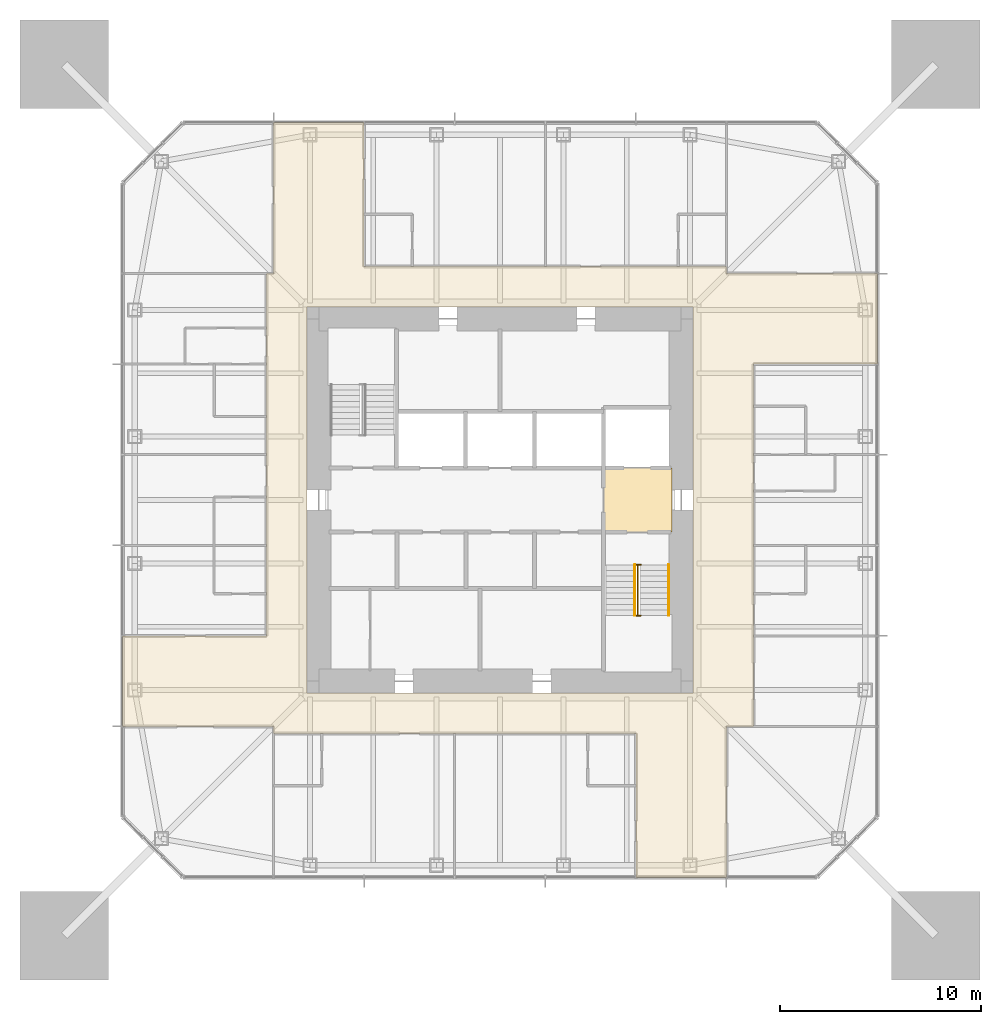
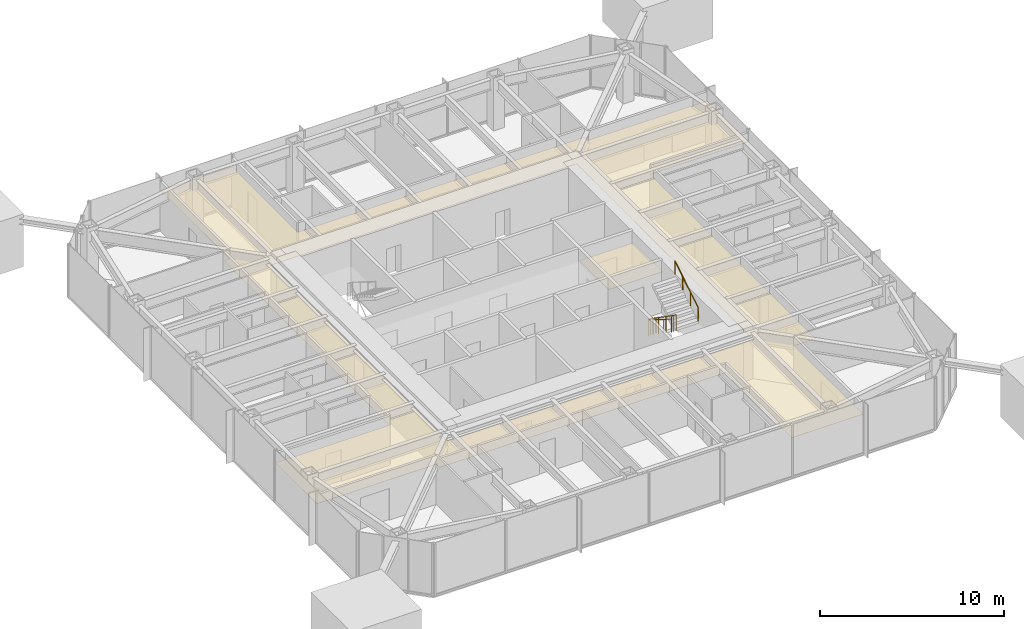
# One storey, part 10 of 11: 3 railings, 2 coverings.
"""IFC4 building model written with IfcOpenShell, lengths in metres."""

from ifc_helpers import new_model, si_unit, direction, frame, origin, origin_2d, place, context, subcontext, project, spatial, polyline, circle, outline, extrude, material, layer, layer_set, constituent, constituent_set, type_object, element, save


model = new_model("IFC4")

# Units and contexts
model_context = context("Model", 3, precision=1e-05, world=origin(), true_north=direction((0.0, 1.0)))
body_context = subcontext(model_context, "Body", "Model", "MODEL_VIEW")
ifc_project = project(units=[si_unit("LENGTHUNIT", "METRE"), si_unit("AREAUNIT", "SQUARE_METRE"), si_unit("VOLUMEUNIT", "CUBIC_METRE"), si_unit("PLANEANGLEUNIT", "RADIAN"), si_unit("MASSUNIT", "GRAM", prefix="KILO")], contexts=[model_context])

# Site, building, storey
site_placement = place(None, origin())
site = spatial("IfcSite", under=ifc_project, at=site_placement, CompositionType="ELEMENT")
building_placement = place(site_placement, origin())
building = spatial("IfcBuilding", under=site, at=building_placement, Name="Iwan Alto Co-Living Towers", CompositionType="ELEMENT")
storey_placement = place(building_placement, frame((0.0, 0.0, 202.0)))
storey = spatial("IfcBuildingStorey", under=building, at=storey_placement, Name="L55", CompositionType="ELEMENT", Elevation=202.0)

# Covering
ifc_material_1 = material(Name="Mineral fibre acoustic tiles on steel grid", Category="steel")
ifc_layer_1 = layer(ifc_material_1, 0.02001953125)
ifc_layer_set_1 = layer_set([ifc_layer_1], Name="ACOUSTIC TILE CEILING 20")
covering_type_1 = type_object("IfcCoveringType", Name="ACOUSTIC TILE CEILING 20", PredefinedType="CEILING", material=ifc_layer_set_1)
covering_1_placement = place(storey_placement, frame((0.0, 0.0, 2.60009765625)))
element("IfcCovering", 1, at=covering_1_placement, inside=storey, type_object=covering_type_1, Name="Ceiling Firefighting lobby L55", PredefinedType="CEILING", context=body_context, shape_type="SweptSolid", body=[
    extrude(outline(polyline([(5.14990234375, -1.60009765625), (5.14990234375, 1.60009765625), (8.550048828125, 1.60009765625), (8.550048828125, -1.60009765625), (5.14990234375, -1.60009765625)])), origin(), (0.0, 0.0, 1.0), 0.02001953125),
])

# Railings
ifc_material_2 = material(Name="Steel ASTM A500 Gr C", Category="steel")
ifc_constituent_1 = constituent(ifc_material_2, Name="Rails and posts", Category="Framing")
ifc_material_3 = material(Name="Steel ASTM A36", Category="steel")
ifc_constituent_2 = constituent(ifc_material_3, Name="Bar infill", Category="Infill")
ifc_constituent_set = constituent_set(constituents=[ifc_constituent_1, ifc_constituent_2], Name="STAIR GUARD 1100")
railing_type_1 = type_object("IfcRailingType", Name="STAIR GUARD 1100", PredefinedType="GUARDRAIL", material=ifc_constituent_set)
railing_1_placement = place(storey_placement, frame((6.85009765625, -3.219970703125, 0.0)))
element("IfcRailing", 2, at=railing_1_placement, inside=storey, type_object=railing_type_1, Name="Stair T1-S2 well guard L55", PredefinedType="GUARDRAIL", context=body_context, shape_type="SweptSolid", body=[
    extrude(circle(Radius=0.02392578125, at=origin_2d()), frame((0.0, 0.0, 1.076171875), z_axis=(0.0, -0.821372036852, 0.570392826987), x_axis=(1.0, 0.0, 0.0)), (0.0, 0.0, 1.0), 3.068115234375),
    extrude(circle(Radius=0.02392578125, at=origin_2d()), frame((-0.150146484375, 0.0, 1.076171875), z_axis=(1.0, 0.0, 0.0), x_axis=(0.0, 1.0, 0.0)), (0.0, 0.0, 1.0), 0.300048828125),
    extrude(circle(Radius=0.02392578125, at=origin_2d()), frame((-0.150146484375, -2.52001953125, 2.826171875), z_axis=(1.0, 0.0, 0.0), x_axis=(0.0, 1.0, 0.0)), (0.0, 0.0, 1.0), 0.300048828125),
    extrude(circle(Radius=0.02099609375, at=origin_2d()), origin(), (0.0, 0.0, 1.0), 1.052001953125),
    extrude(circle(Radius=0.02099609375, at=origin_2d()), frame((0.0, -0.840087890625, 0.583251953125)), (0.0, 0.0, 1.0), 1.052001953125),
    extrude(circle(Radius=0.02099609375, at=origin_2d()), frame((0.0, -1.679931640625, 1.166748046875)), (0.0, 0.0, 1.0), 1.052001953125),
    extrude(circle(Radius=0.02099609375, at=origin_2d()), frame((0.0, -2.52001953125, 1.75)), (0.0, 0.0, 1.0), 1.052001953125),
    extrude(circle(Radius=0.02099609375, at=origin_2d()), frame((-0.150146484375, 0.0, 0.0)), (0.0, 0.0, 1.0), 1.052001953125),
    extrude(circle(Radius=0.02099609375, at=origin_2d()), frame((0.14990234375, 0.0, 0.0)), (0.0, 0.0, 1.0), 1.052001953125),
    extrude(circle(Radius=0.02099609375, at=origin_2d()), frame((-0.150146484375, -2.52001953125, 1.75)), (0.0, 0.0, 1.0), 1.052001953125),
    extrude(circle(Radius=0.02099609375, at=origin_2d()), frame((0.14990234375, -2.52001953125, 1.75)), (0.0, 0.0, 1.0), 1.052001953125),
])
ifc_material_4 = material(Name="Steel ASTM A500 Gr C", Category="steel")
railing_type_2 = type_object("IfcRailingType", Name="STAIR HANDRAIL 900", PredefinedType="HANDRAIL", material=ifc_material_4)
railing_2_placement = place(storey_placement, frame((6.699951171875, -3.219970703125, 0.175048828125)))
element("IfcRailing", 3, at=railing_2_placement, inside=storey, type_object=railing_type_2, Name="Stair T1-S2 handrail 1 L55", PredefinedType="HANDRAIL", context=body_context, shape_type="SweptSolid", body=[
    extrude(circle(Radius=0.02392578125, at=origin_2d()), frame((0.0, 0.0, 0.8759765625), z_axis=(0.0, -0.848007534815, 0.529984170421), x_axis=(1.0, 0.0, 0.0)), (0.0, 0.0, 1.0), 2.9716796875),
    extrude(circle(Radius=0.02099609375, at=origin_2d()), origin(), (0.0, 0.0, 1.0), 0.851806640625),
    extrude(circle(Radius=0.02099609375, at=origin_2d()), frame((0.0, -0.840087890625, 0.52490234375)), (0.0, 0.0, 1.0), 0.851806640625),
    extrude(circle(Radius=0.02099609375, at=origin_2d()), frame((0.0, -1.679931640625, 1.050048828125)), (0.0, 0.0, 1.0), 0.851806640625),
    extrude(circle(Radius=0.02099609375, at=origin_2d()), frame((0.0, -2.52001953125, 1.574951171875)), (0.0, 0.0, 1.0), 0.851806640625),
])
railing_3_placement = place(storey_placement, frame((8.3798828125, -5.739990234375, 1.925048828125)))
element("IfcRailing", 4, at=railing_3_placement, inside=storey, type_object=railing_type_2, Name="Stair T1-S2 handrail 2 L55", PredefinedType="HANDRAIL", context=body_context, shape_type="SweptSolid", body=[
    extrude(circle(Radius=0.02392578125, at=origin_2d()), frame((0.0, 0.0, 0.8759765625), z_axis=(0.0, 0.848007534815, 0.529984170421), x_axis=(-1.0, 0.0, 0.0)), (0.0, 0.0, 1.0), 2.9716796875),
    extrude(circle(Radius=0.02099609375, at=origin_2d()), origin(), (0.0, 0.0, 1.0), 0.851806640625),
    extrude(circle(Radius=0.02099609375, at=origin_2d()), frame((0.0, 0.840087890625, 0.52490234375)), (0.0, 0.0, 1.0), 0.851806640625),
    extrude(circle(Radius=0.02099609375, at=origin_2d()), frame((0.0, 1.679931640625, 1.050048828125)), (0.0, 0.0, 1.0), 0.851806640625),
    extrude(circle(Radius=0.02099609375, at=origin_2d()), frame((0.0, 2.52001953125, 1.574951171875)), (0.0, 0.0, 1.0), 0.851806640625),
])

# Covering
ifc_material_5 = material(Name="Gypsum plasterboard on steel grid", Category="steel")
ifc_layer_2 = layer(ifc_material_5, 0.014892578125)
ifc_layer_set_2 = layer_set([ifc_layer_2], Name="SUSPENDED PLASTERBOARD CEILING 15")
covering_type_2 = type_object("IfcCoveringType", Name="SUSPENDED PLASTERBOARD CEILING 15", PredefinedType="CEILING", material=ifc_layer_set_2)
covering_2_placement = place(storey_placement, frame((0.0, 0.0, 2.60009765625)))
element("IfcCovering", 5, at=covering_2_placement, inside=storey, type_object=covering_type_2, Name="Ceiling Corridor L55", PredefinedType="CEILING", context=body_context, shape_type="SweptSolid", body=[
    extrude(outline(polyline([(-18.75, -11.25), (-18.75, -6.75), (-11.60009765625, -6.75), (-11.60009765625, 11.25), (-11.25, 11.25), (-11.25, 11.60009765625), (-11.25, 18.75), (-6.75, 18.75), (-6.75, 11.60009765625), (11.25, 11.60009765625), (11.25, 11.25), (12.60009765625, 11.25), (18.75, 11.25), (18.75, 6.75), (12.60009765625, 6.75), (12.60009765625, -11.25), (11.25, -11.25), (11.25, -11.60009765625), (11.25, -18.75), (6.75, -18.75), (6.75, -11.60009765625), (-11.25, -11.60009765625), (-11.25, -11.25), (-11.60009765625, -11.25), (-18.75, -11.25)]), holes=[polyline([(9.60009765625, 9.60009765625), (-9.60009765625, 9.60009765625), (-9.60009765625, -9.60009765625), (9.60009765625, -9.60009765625), (9.60009765625, 9.60009765625)])]), origin(), (0.0, 0.0, 1.0), 0.014892578125),
])

save(model, "model.ifc")
